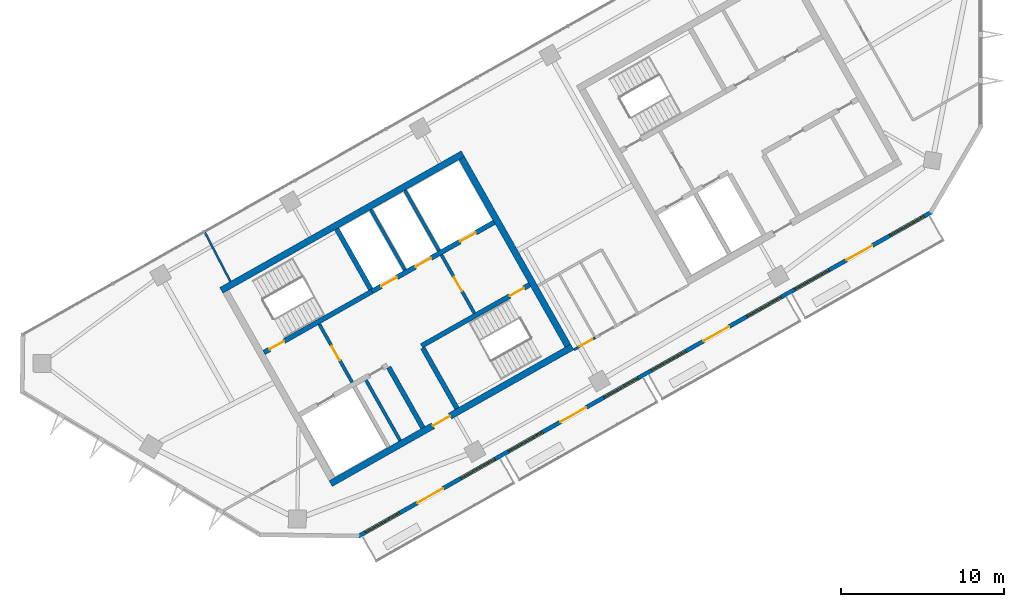
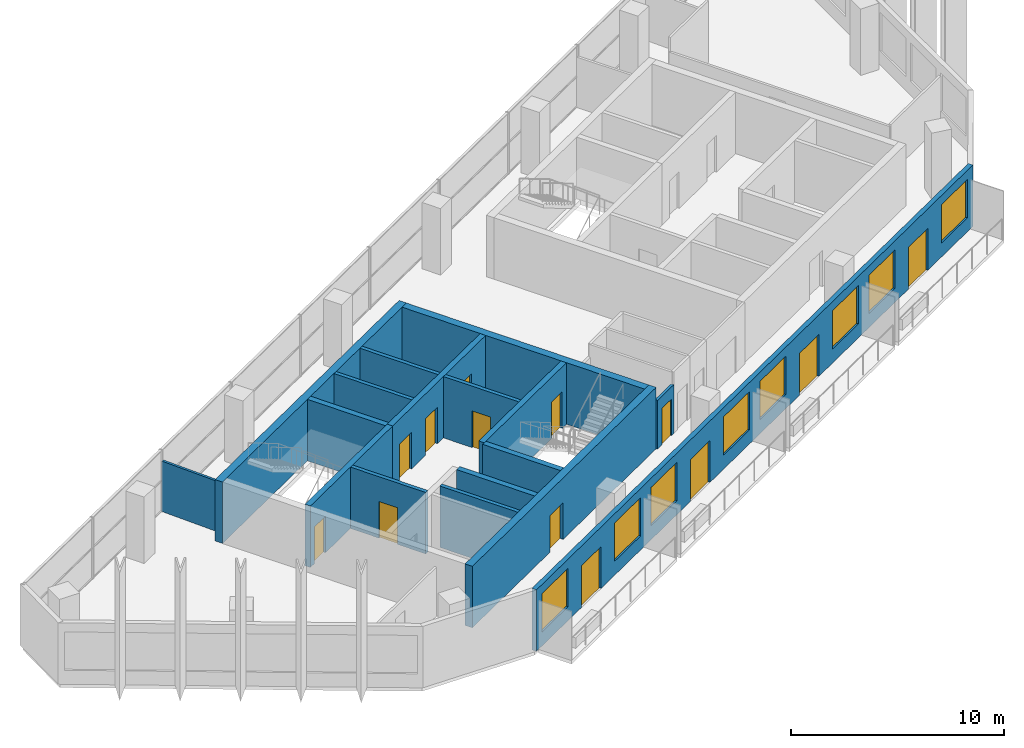
# One storey, part 6 of 10: 17 walls, 13 doors, 8 windows, 21 openings.
"""IFC4 building model written with IfcOpenShell, lengths in metres."""

from ifc_helpers import new_model, si_unit, direction, frame, frame_2d, origin, place, context, subcontext, project, spatial, rectangle, extrude, material, layer, layer_set, type_object, element, fill, save


model = new_model("IFC4")

# Units and contexts
model_context = context("Model", 3, precision=1e-05, world=origin(), true_north=direction((0.0, 1.0)))
body_context = subcontext(model_context, "Body", "Model", "MODEL_VIEW")
ifc_project = project(units=[si_unit("LENGTHUNIT", "METRE"), si_unit("AREAUNIT", "SQUARE_METRE"), si_unit("VOLUMEUNIT", "CUBIC_METRE"), si_unit("PLANEANGLEUNIT", "RADIAN"), si_unit("MASSUNIT", "GRAM", prefix="KILO")], contexts=[model_context])

# Site, building, storey
site_placement = place(None, origin())
site = spatial("IfcSite", under=ifc_project, at=site_placement, CompositionType="ELEMENT")
building_placement = place(site_placement, origin())
building = spatial("IfcBuilding", under=site, at=building_placement, Name="Binnacle Exchange Tower", CompositionType="ELEMENT")
storey_placement = place(building_placement, frame((0.0, 0.0, 324.10009765625)))
storey = spatial("IfcBuildingStorey", under=building, at=storey_placement, Name="L73", CompositionType="ELEMENT", Elevation=324.10009765625)

# Wall, openings, doors
ifc_material_1 = material(Name="Concrete C70/85", Category="concrete")
ifc_layer_1 = layer(ifc_material_1, 0.300048828125)
ifc_layer_set_1 = layer_set([ifc_layer_1], Name="Core wall - front 300")
wall_type_1 = type_object("IfcWallType", Name="Core wall - front 300", PredefinedType="SOLIDWALL", material=ifc_layer_set_1)
wall_1_placement = place(storey_placement, frame((-37.281982421875, 41.4345703125, 0.0), z_axis=(0.0, 0.0, 1.0), x_axis=(0.870361315115, 0.492413628113, 0.0)))
wall_1 = element("IfcWall", 1, at=wall_1_placement, inside=storey, type_object=wall_type_1, Name="Core wall CRWA5", PredefinedType="SOLIDWALL", context=body_context, shape_type="SweptSolid", body=[
    extrude(rectangle(XDim=8.599609375, YDim=0.300048828125, at=frame_2d((4.2998046875, 0.0))), origin(), (0.0, 0.0, 1.0), 3.52001953125),
])
opening_1_placement = place(wall_1_placement, frame((0.650146484375, 0.0, 0.0)))
opening_1 = element("IfcOpeningElement", 2, at=opening_1_placement, cuts=wall_1, Name="Opening LD9", PredefinedType="OPENING", context=body_context, shape_type="SweptSolid", body=[
    extrude(rectangle(XDim=1.10009765625, YDim=2.10009765625, at=frame_2d((0.550048828125, 1.050048828125))), frame((0.0, 0.159912109375, 0.0), z_axis=(0.0, -1.0, 0.0), x_axis=(1.0, 0.0, 0.0)), (0.0, 0.0, 1.0), 0.320068359375),
])
opening_2_placement = place(wall_1_placement, frame((3.050048828125, 0.0, 0.0)))
opening_2 = element("IfcOpeningElement", 3, at=opening_2_placement, cuts=wall_1, Name="Opening LD10", PredefinedType="OPENING", context=body_context, shape_type="SweptSolid", body=[
    extrude(rectangle(XDim=1.10009765625, YDim=2.10009765625, at=frame_2d((0.550048828125, 1.050048828125))), frame((0.0, 0.159912109375, 0.0), z_axis=(0.0, -1.0, 0.0), x_axis=(1.0, 0.0, 0.0)), (0.0, 0.0, 1.0), 0.320068359375),
])
opening_3_placement = place(wall_1_placement, frame((6.199951171875, 0.0, 0.0)))
opening_3 = element("IfcOpeningElement", 4, at=opening_3_placement, cuts=wall_1, Name="Opening LD13", PredefinedType="OPENING", context=body_context, shape_type="SweptSolid", body=[
    extrude(rectangle(XDim=1.10009765625, YDim=2.10009765625, at=frame_2d((0.550048828125, 1.050048828125))), frame((0.0, 0.159912109375, 0.0), z_axis=(0.0, -1.0, 0.0), x_axis=(1.0, 0.0, 0.0)), (0.0, 0.0, 1.0), 0.320068359375),
])
ifc_material_2 = material(Name="Steel door leaf", Category="steel")
door_type_1 = type_object("IfcDoorType", Name="Fire door - lift landing 1100", OperationType="NOTDEFINED", PredefinedType="DOOR", material=ifc_material_2)
door_1_placement = place(opening_1_placement, origin())
door_1 = element("IfcDoor", 5, at=door_1_placement, inside=storey, type_object=door_type_1, Name="Landing door LD9 L73", OperationType="DOUBLE_DOOR_SLIDING", OverallHeight=2.10009765625, OverallWidth=1.10009765625, PredefinedType="DOOR", context=body_context, shape_type="SweptSolid", body=[
    extrude(rectangle(XDim=1.10009765625, YDim=2.10009765625, at=frame_2d((0.550048828125, 1.050048828125))), frame((0.0, 0.02490234375, 0.0), z_axis=(0.0, -1.0, 0.0), x_axis=(1.0, 0.0, 0.0)), (0.0, 0.0, 1.0), 0.050048828125),
])
fill(opening_1, door_1)
door_2_placement = place(opening_2_placement, origin())
door_2 = element("IfcDoor", 6, at=door_2_placement, inside=storey, type_object=door_type_1, Name="Landing door LD10 L73", OperationType="DOUBLE_DOOR_SLIDING", OverallHeight=2.10009765625, OverallWidth=1.10009765625, PredefinedType="DOOR", context=body_context, shape_type="SweptSolid", body=[
    extrude(rectangle(XDim=1.10009765625, YDim=2.10009765625, at=frame_2d((0.550048828125, 1.050048828125))), frame((0.0, 0.02490234375, 0.0), z_axis=(0.0, -1.0, 0.0), x_axis=(1.0, 0.0, 0.0)), (0.0, 0.0, 1.0), 0.050048828125),
])
fill(opening_2, door_2)
door_3_placement = place(opening_3_placement, origin())
door_3 = element("IfcDoor", 7, at=door_3_placement, inside=storey, type_object=door_type_1, Name="Landing door LD13 L73", OperationType="DOUBLE_DOOR_SLIDING", OverallHeight=2.10009765625, OverallWidth=1.10009765625, PredefinedType="DOOR", context=body_context, shape_type="SweptSolid", body=[
    extrude(rectangle(XDim=1.10009765625, YDim=2.10009765625, at=frame_2d((0.550048828125, 1.050048828125))), frame((0.0, 0.02490234375, 0.0), z_axis=(0.0, -1.0, 0.0), x_axis=(1.0, 0.0, 0.0)), (0.0, 0.0, 1.0), 0.050048828125),
])
fill(opening_3, door_3)

# Wall
wall_2_placement = place(storey_placement, frame((-36.260009765625, 36.784912109375, 0.0), z_axis=(0.0, 0.0, 1.0), x_axis=(0.492422543467, -0.870356271124, 0.0)))
element("IfcWall", 8, at=wall_2_placement, inside=storey, type_object=wall_type_1, Name="Core wall CRWA13", PredefinedType="SOLIDWALL", context=body_context, shape_type="SweptSolid", body=[
    extrude(rectangle(XDim=4.25, YDim=0.300048828125, at=frame_2d((2.125, 0.0))), origin(), (0.0, 0.0, 1.0), 3.52001953125),
])

# Wall, opening, door
ifc_layer_2 = layer(ifc_material_1, 0.39990234375)
ifc_layer_set_2 = layer_set([ifc_layer_2], Name="Core wall - outer 400")
wall_type_2 = type_object("IfcWallType", Name="Core wall - outer 400", PredefinedType="SOLIDWALL", material=ifc_layer_set_2)
wall_3_placement = place(storey_placement, frame((-39.81298828125, 29.661865234375, 0.0), z_axis=(0.0, 0.0, 1.0), x_axis=(0.870350116061, 0.492433422375, 0.0)))
wall_3 = element("IfcWall", 9, at=wall_3_placement, inside=storey, type_object=wall_type_2, Name="Core wall CRWA1", PredefinedType="SOLIDWALL", context=body_context, shape_type="SweptSolid", body=[
    extrude(rectangle(XDim=17.0, YDim=0.39990234375, at=frame_2d((8.5, 0.0))), origin(), (0.0, 0.0, 1.0), 3.52001953125),
])
opening_4_placement = place(wall_3_placement, frame((7.199951171875, 0.0, 0.0)))
opening_4 = element("IfcOpeningElement", 10, at=opening_4_placement, cuts=wall_3, Name="Opening DA7", PredefinedType="OPENING", context=body_context, shape_type="SweptSolid", body=[
    extrude(rectangle(XDim=1.199951171875, YDim=2.10009765625, at=frame_2d((0.60009765625, 1.050048828125))), frame((0.0, 0.2099609375, 0.0), z_axis=(0.0, -1.0, 0.0), x_axis=(1.0, 0.0, 0.0)), (0.0, 0.0, 1.0), 0.419921875),
])
door_type_2 = type_object("IfcDoorType", Name="Fire door 1200", OperationType="NOTDEFINED", PredefinedType="DOOR", material=ifc_material_2)
door_4_placement = place(opening_4_placement, frame((1.199951171875, 0.0, 0.0), z_axis=(0.0, 0.0, 1.0), x_axis=(-1.0, 0.0, 0.0)))
door_4 = element("IfcDoor", 11, at=door_4_placement, inside=storey, type_object=door_type_2, Name="Lift lobby entrance door core A", OperationType="SINGLE_SWING_RIGHT", OverallHeight=2.10009765625, OverallWidth=1.199951171875, PredefinedType="DOOR", context=body_context, shape_type="SweptSolid", body=[
    extrude(rectangle(XDim=1.199951171875, YDim=2.10009765625, at=frame_2d((0.60009765625, 1.050048828125))), frame((0.0, 0.02490234375, 0.0), z_axis=(0.0, -1.0, 0.0), x_axis=(1.0, 0.0, 0.0)), (0.0, 0.0, 1.0), 0.050048828125),
])
fill(opening_4, door_4)

# Walls
wall_4_placement = place(storey_placement, frame((-46.510009765625, 41.498779296875, 0.0), z_axis=(0.0, 0.0, 1.0), x_axis=(0.870356271124, 0.492422543467, 0.0)))
element("IfcWall", 12, at=wall_4_placement, inside=storey, type_object=wall_type_2, Name="Core wall CRWA6", PredefinedType="SOLIDWALL", context=body_context, shape_type="SweptSolid", body=[
    extrude(rectangle(XDim=16.999755859375, YDim=0.39990234375, at=frame_2d((8.5, 0.0))), origin(), (0.0, 0.0, 1.0), 3.52001953125),
])
wall_5_placement = place(storey_placement, frame((-31.78955078125, 49.597412109375, 0.0), z_axis=(0.0, 0.0, 1.0), x_axis=(0.492421663121, -0.870356769198, 0.0)))
element("IfcWall", 13, at=wall_5_placement, inside=storey, type_object=wall_type_2, Name="Core wall CRWA22", PredefinedType="SOLIDWALL", context=body_context, shape_type="SweptSolid", body=[
    extrude(rectangle(XDim=13.199951171875, YDim=0.39990234375, at=frame_2d((6.60009765625, 0.0))), origin(), (0.0, 0.0, 1.0), 3.52001953125),
])

# Wall, opening, door
ifc_layer_3 = layer(ifc_material_1, 0.300048828125)
ifc_layer_set_3 = layer_set([ifc_layer_3], Name="Core wall - stair 300")
wall_type_3 = type_object("IfcWallType", Name="Core wall - stair 300", PredefinedType="SOLIDWALL", material=ifc_layer_set_3)
wall_6_placement = place(storey_placement, frame((-34.2451171875, 38.097412109375, 0.0), z_axis=(0.0, 0.0, 1.0), x_axis=(0.870356351998, 0.492422400523, 0.0)))
wall_6 = element("IfcWall", 14, at=wall_6_placement, inside=storey, type_object=wall_type_3, Name="Core wall CRWA3", PredefinedType="SOLIDWALL", context=body_context, shape_type="SweptSolid", body=[
    extrude(rectangle(XDim=7.60009765625, YDim=0.300048828125, at=frame_2d((3.800048828125, 0.0))), origin(), (0.0, 0.0, 1.0), 3.52001953125),
])
opening_5_placement = place(wall_6_placement, frame((6.199951171875, 0.0, 0.0)))
opening_5 = element("IfcOpeningElement", 15, at=opening_5_placement, cuts=wall_6, Name="Opening DA2", PredefinedType="OPENING", context=body_context, shape_type="SweptSolid", body=[
    extrude(rectangle(XDim=1.0, YDim=2.10009765625, at=frame_2d((0.5, 1.050048828125))), frame((0.0, 0.159912109375, 0.0), z_axis=(0.0, -1.0, 0.0), x_axis=(1.0, 0.0, 0.0)), (0.0, 0.0, 1.0), 0.320068359375),
])
door_type_3 = type_object("IfcDoorType", Name="Fire door 1000", OperationType="NOTDEFINED", PredefinedType="DOOR", material=ifc_material_2)
door_5_placement = place(opening_5_placement, frame((1.0, 0.0, 0.0), z_axis=(0.0, 0.0, 1.0), x_axis=(-1.0, 0.0, 0.0)))
door_5 = element("IfcDoor", 16, at=door_5_placement, inside=storey, type_object=door_type_3, Name="Stair door ST-A2", OperationType="SINGLE_SWING_LEFT", OverallHeight=2.10009765625, OverallWidth=1.0, PredefinedType="DOOR", context=body_context, shape_type="SweptSolid", body=[
    extrude(rectangle(XDim=1.0, YDim=2.10009765625, at=frame_2d((0.5, 1.050048828125))), frame((0.0, 0.02490234375, 0.0), z_axis=(0.0, -1.0, 0.0), x_axis=(1.0, 0.0, 0.0)), (0.0, 0.0, 1.0), 0.050048828125),
])
fill(opening_5, door_5)

wall_7_placement = place(storey_placement, frame((-43.896728515625, 37.692138671875, 0.0), z_axis=(0.0, 0.0, 1.0), x_axis=(0.870356351998, 0.492422400523, 0.0)))
wall_7 = element("IfcWall", 17, at=wall_7_placement, inside=storey, type_object=wall_type_3, Name="Core wall CRWA4", PredefinedType="SOLIDWALL", context=body_context, shape_type="SweptSolid", body=[
    extrude(rectangle(XDim=7.60009765625, YDim=0.300048828125, at=frame_2d((3.800048828125, 0.0))), origin(), (0.0, 0.0, 1.0), 3.52001953125),
])
opening_6_placement = place(wall_7_placement, frame((0.39990234375, 0.0, 0.0)))
opening_6 = element("IfcOpeningElement", 18, at=opening_6_placement, cuts=wall_7, Name="Opening DA1", PredefinedType="OPENING", context=body_context, shape_type="SweptSolid", body=[
    extrude(rectangle(XDim=1.0, YDim=2.10009765625, at=frame_2d((0.5, 1.050048828125))), frame((0.0, 0.159912109375, 0.0), z_axis=(0.0, -1.0, 0.0), x_axis=(1.0, 0.0, 0.0)), (0.0, 0.0, 1.0), 0.320068359375),
])
door_6_placement = place(opening_6_placement, origin())
door_6 = element("IfcDoor", 19, at=door_6_placement, inside=storey, type_object=door_type_3, Name="Stair door ST-A1", OperationType="SINGLE_SWING_LEFT", OverallHeight=2.10009765625, OverallWidth=1.0, PredefinedType="DOOR", context=body_context, shape_type="SweptSolid", body=[
    extrude(rectangle(XDim=1.0, YDim=2.10009765625, at=frame_2d((0.5, 1.050048828125))), frame((0.0, 0.02490234375, 0.0), z_axis=(0.0, -1.0, 0.0), x_axis=(1.0, 0.0, 0.0)), (0.0, 0.0, 1.0), 0.050048828125),
])
fill(opening_6, door_6)

# Walls
for number, where, z_axis, x_axis, name in (
    (20, (-39.44873046875, 45.263916015625, 0.0), (0.0, 0.0, 1.0), (0.492422543467, -0.870356271124, 0.0), "Core wall CRWA14"),
    (21, (-34.171142578125, 37.966796875, 0.0), (0.0, 0.0, 1.0), (0.492422543467, -0.870356271124, 0.0), "Core wall CRWA16"),
):
    element("IfcWall", number, at=place(storey_placement, frame(where, z_axis=z_axis, x_axis=x_axis)), inside=storey, type_object=wall_type_3, Name=name, PredefinedType="SOLIDWALL", context=body_context, shape_type="SweptSolid", body=[
        extrude(rectangle(XDim=4.25, YDim=0.300048828125, at=frame_2d((2.125, 0.0))), origin(), (0.0, 0.0, 1.0), 3.52001953125),
    ])

# Wall, openings, doors, windows
ifc_material_3 = material(Name="Bronze aluminium cladding", Category="aluminium")
ifc_layer_4 = layer(ifc_material_3, 0.25)
ifc_layer_set_4 = layer_set([ifc_layer_4], Name="External wall - window wall 250")
wall_type_4 = type_object("IfcWallType", Name="External wall - window wall 250", PredefinedType="STANDARD", material=ifc_layer_set_4)
wall_8_placement = place(storey_placement, frame((-3.016845703125, 46.293212890625, 0.0), z_axis=(0.0, 0.0, 1.0), x_axis=(-0.870355474887, -0.492423950812, 0.0)))
wall_8 = element("IfcWall", 22, at=wall_8_placement, inside=storey, type_object=wall_type_4, Name="External wall EW-H07 L73", PredefinedType="STANDARD", context=body_context, shape_type="SweptSolid", body=[
    extrude(rectangle(XDim=40.34033203125, YDim=0.25, at=frame_2d((20.170166015625, 0.0))), origin(), (0.0, 0.0, 1.0), 3.52001953125),
])
opening_7_placement = place(wall_8_placement, frame((37.428466796875, 0.0, 0.800048828125)))
opening_7 = element("IfcOpeningElement", 23, at=opening_7_placement, cuts=wall_8, Name="Opening WR2", PredefinedType="OPENING", context=body_context, shape_type="SweptSolid", body=[
    extrude(rectangle(XDim=2.39990234375, YDim=2.199951171875, at=frame_2d((1.199951171875, 1.10009765625))), frame((0.0, 0.135009765625, 0.0), z_axis=(0.0, -1.0, 0.0), x_axis=(1.0, 0.0, 0.0)), (0.0, 0.0, 1.0), 0.27001953125),
])
opening_8_placement = place(wall_8_placement, frame((34.372314453125, 0.0, 0.0)))
opening_8 = element("IfcOpeningElement", 24, at=opening_8_placement, cuts=wall_8, Name="Opening D-FS22-01", PredefinedType="OPENING", context=body_context, shape_type="SweptSolid", body=[
    extrude(rectangle(XDim=1.800048828125, YDim=2.39990234375, at=frame_2d((0.89990234375, 1.199951171875))), frame((0.0, 0.135009765625, 0.0), z_axis=(0.0, -1.0, 0.0), x_axis=(1.0, 0.0, 0.0)), (0.0, 0.0, 1.0), 0.27001953125),
])
opening_9_placement = place(wall_8_placement, frame((30.71630859375, 0.0, 0.800048828125)))
opening_9 = element("IfcOpeningElement", 25, at=opening_9_placement, cuts=wall_8, Name="Opening WR2", PredefinedType="OPENING", context=body_context, shape_type="SweptSolid", body=[
    extrude(rectangle(XDim=2.39990234375, YDim=2.199951171875, at=frame_2d((1.199951171875, 1.10009765625))), frame((0.0, 0.135009765625, 0.0), z_axis=(0.0, -1.0, 0.0), x_axis=(1.0, 0.0, 0.0)), (0.0, 0.0, 1.0), 0.27001953125),
])
opening_10_placement = place(wall_8_placement, frame((27.3603515625, 0.0, 0.800048828125)))
opening_10 = element("IfcOpeningElement", 26, at=opening_10_placement, cuts=wall_8, Name="Opening WR2", PredefinedType="OPENING", context=body_context, shape_type="SweptSolid", body=[
    extrude(rectangle(XDim=2.39990234375, YDim=2.199951171875, at=frame_2d((1.199951171875, 1.10009765625))), frame((0.0, 0.135009765625, 0.0), z_axis=(0.0, -1.0, 0.0), x_axis=(1.0, 0.0, 0.0)), (0.0, 0.0, 1.0), 0.27001953125),
])
opening_11_placement = place(wall_8_placement, frame((24.30419921875, 0.0, 0.0)))
opening_11 = element("IfcOpeningElement", 27, at=opening_11_placement, cuts=wall_8, Name="Opening D-FS22-02", PredefinedType="OPENING", context=body_context, shape_type="SweptSolid", body=[
    extrude(rectangle(XDim=1.800048828125, YDim=2.39990234375, at=frame_2d((0.89990234375, 1.199951171875))), frame((0.0, 0.135009765625, 0.0), z_axis=(0.0, -1.0, 0.0), x_axis=(1.0, 0.0, 0.0)), (0.0, 0.0, 1.0), 0.27001953125),
])
opening_12_placement = place(wall_8_placement, frame((20.648193359375, 0.0, 0.800048828125)))
opening_12 = element("IfcOpeningElement", 28, at=opening_12_placement, cuts=wall_8, Name="Opening WR2", PredefinedType="OPENING", context=body_context, shape_type="SweptSolid", body=[
    extrude(rectangle(XDim=2.39990234375, YDim=2.199951171875, at=frame_2d((1.199951171875, 1.10009765625))), frame((0.0, 0.135009765625, 0.0), z_axis=(0.0, -1.0, 0.0), x_axis=(1.0, 0.0, 0.0)), (0.0, 0.0, 1.0), 0.27001953125),
])
opening_13_placement = place(wall_8_placement, frame((17.2919921875, 0.0, 0.800048828125)))
opening_13 = element("IfcOpeningElement", 29, at=opening_13_placement, cuts=wall_8, Name="Opening WR2", PredefinedType="OPENING", context=body_context, shape_type="SweptSolid", body=[
    extrude(rectangle(XDim=2.39990234375, YDim=2.199951171875, at=frame_2d((1.199951171875, 1.10009765625))), frame((0.0, 0.135009765625, 0.0), z_axis=(0.0, -1.0, 0.0), x_axis=(1.0, 0.0, 0.0)), (0.0, 0.0, 1.0), 0.27001953125),
])
opening_14_placement = place(wall_8_placement, frame((14.236083984375, 0.0, 0.0)))
opening_14 = element("IfcOpeningElement", 30, at=opening_14_placement, cuts=wall_8, Name="Opening D-FS22-03", PredefinedType="OPENING", context=body_context, shape_type="SweptSolid", body=[
    extrude(rectangle(XDim=1.800048828125, YDim=2.39990234375, at=frame_2d((0.89990234375, 1.199951171875))), frame((0.0, 0.135009765625, 0.0), z_axis=(0.0, -1.0, 0.0), x_axis=(1.0, 0.0, 0.0)), (0.0, 0.0, 1.0), 0.27001953125),
])
opening_15_placement = place(wall_8_placement, frame((10.580078125, 0.0, 0.800048828125)))
opening_15 = element("IfcOpeningElement", 31, at=opening_15_placement, cuts=wall_8, Name="Opening WR2", PredefinedType="OPENING", context=body_context, shape_type="SweptSolid", body=[
    extrude(rectangle(XDim=2.39990234375, YDim=2.199951171875, at=frame_2d((1.199951171875, 1.10009765625))), frame((0.0, 0.135009765625, 0.0), z_axis=(0.0, -1.0, 0.0), x_axis=(1.0, 0.0, 0.0)), (0.0, 0.0, 1.0), 0.27001953125),
])
opening_16_placement = place(wall_8_placement, frame((7.223876953125, 0.0, 0.800048828125)))
opening_16 = element("IfcOpeningElement", 32, at=opening_16_placement, cuts=wall_8, Name="Opening WR2", PredefinedType="OPENING", context=body_context, shape_type="SweptSolid", body=[
    extrude(rectangle(XDim=2.39990234375, YDim=2.199951171875, at=frame_2d((1.199951171875, 1.10009765625))), frame((0.0, 0.135009765625, 0.0), z_axis=(0.0, -1.0, 0.0), x_axis=(1.0, 0.0, 0.0)), (0.0, 0.0, 1.0), 0.27001953125),
])
opening_17_placement = place(wall_8_placement, frame((4.16796875, 0.0, 0.0)))
opening_17 = element("IfcOpeningElement", 33, at=opening_17_placement, cuts=wall_8, Name="Opening D-FS22-04", PredefinedType="OPENING", context=body_context, shape_type="SweptSolid", body=[
    extrude(rectangle(XDim=1.800048828125, YDim=2.39990234375, at=frame_2d((0.89990234375, 1.199951171875))), frame((0.0, 0.135009765625, 0.0), z_axis=(0.0, -1.0, 0.0), x_axis=(1.0, 0.0, 0.0)), (0.0, 0.0, 1.0), 0.27001953125),
])
opening_18_placement = place(wall_8_placement, frame((0.51171875, 0.0, 0.800048828125)))
opening_18 = element("IfcOpeningElement", 34, at=opening_18_placement, cuts=wall_8, Name="Opening WR2", PredefinedType="OPENING", context=body_context, shape_type="SweptSolid", body=[
    extrude(rectangle(XDim=2.39990234375, YDim=2.199951171875, at=frame_2d((1.199951171875, 1.10009765625))), frame((0.0, 0.135009765625, 0.0), z_axis=(0.0, -1.0, 0.0), x_axis=(1.0, 0.0, 0.0)), (0.0, 0.0, 1.0), 0.27001953125),
])
ifc_material_4 = material(Name="Bronze anodised aluminium frame", Category="aluminium")
door_type_4 = type_object("IfcDoorType", Name="DB DOOR 1800x2400", OperationType="DOUBLE_DOOR_SINGLE_SWING", PredefinedType="DOOR", material=ifc_material_4)
door_7_placement = place(opening_8_placement, origin())
door_7 = element("IfcDoor", 35, at=door_7_placement, inside=storey, type_object=door_type_4, Name="Door D-FS22-01 L73", OperationType="DOUBLE_DOOR_SINGLE_SWING", OverallHeight=2.39990234375, OverallWidth=1.800048828125, PredefinedType="DOOR", context=body_context, shape_type="SweptSolid", body=[
    extrude(rectangle(XDim=1.800048828125, YDim=2.39990234375, at=frame_2d((0.89990234375, 1.199951171875))), frame((0.0, 0.02490234375, 0.0), z_axis=(0.0, -1.0, 0.0), x_axis=(1.0, 0.0, 0.0)), (0.0, 0.0, 1.0), 0.050048828125),
])
fill(opening_8, door_7)
door_8_placement = place(opening_11_placement, origin())
door_8 = element("IfcDoor", 36, at=door_8_placement, inside=storey, type_object=door_type_4, Name="Door D-FS22-02 L73", OperationType="DOUBLE_DOOR_SINGLE_SWING", OverallHeight=2.39990234375, OverallWidth=1.800048828125, PredefinedType="DOOR", context=body_context, shape_type="SweptSolid", body=[
    extrude(rectangle(XDim=1.800048828125, YDim=2.39990234375, at=frame_2d((0.89990234375, 1.199951171875))), frame((0.0, 0.02490234375, 0.0), z_axis=(0.0, -1.0, 0.0), x_axis=(1.0, 0.0, 0.0)), (0.0, 0.0, 1.0), 0.050048828125),
])
fill(opening_11, door_8)
door_9_placement = place(opening_14_placement, origin())
door_9 = element("IfcDoor", 37, at=door_9_placement, inside=storey, type_object=door_type_4, Name="Door D-FS22-03 L73", OperationType="DOUBLE_DOOR_SINGLE_SWING", OverallHeight=2.39990234375, OverallWidth=1.800048828125, PredefinedType="DOOR", context=body_context, shape_type="SweptSolid", body=[
    extrude(rectangle(XDim=1.800048828125, YDim=2.39990234375, at=frame_2d((0.89990234375, 1.199951171875))), frame((0.0, 0.02490234375, 0.0), z_axis=(0.0, -1.0, 0.0), x_axis=(1.0, 0.0, 0.0)), (0.0, 0.0, 1.0), 0.050048828125),
])
fill(opening_14, door_9)
door_10_placement = place(opening_17_placement, origin())
door_10 = element("IfcDoor", 38, at=door_10_placement, inside=storey, type_object=door_type_4, Name="Door D-FS22-04 L73", OperationType="DOUBLE_DOOR_SINGLE_SWING", OverallHeight=2.39990234375, OverallWidth=1.800048828125, PredefinedType="DOOR", context=body_context, shape_type="SweptSolid", body=[
    extrude(rectangle(XDim=1.800048828125, YDim=2.39990234375, at=frame_2d((0.89990234375, 1.199951171875))), frame((0.0, 0.02490234375, 0.0), z_axis=(0.0, -1.0, 0.0), x_axis=(1.0, 0.0, 0.0)), (0.0, 0.0, 1.0), 0.050048828125),
])
fill(opening_17, door_10)
window_type = type_object("IfcWindowType", Name="WR2 WINDOW 2400x2200", PartitioningType="SINGLE_PANEL", PredefinedType="WINDOW", material=ifc_material_4)
window_1_placement = place(opening_7_placement, origin())
window_1 = element("IfcWindow", 39, at=window_1_placement, inside=storey, type_object=window_type, Name="Window WR2 L73", OverallHeight=2.199951171875, OverallWidth=2.39990234375, PartitioningType="SINGLE_PANEL", PredefinedType="WINDOW", context=body_context, shape_type="SweptSolid", body=[
    extrude(rectangle(XDim=2.39990234375, YDim=2.199951171875, at=frame_2d((1.199951171875, 1.10009765625))), frame((0.0, 0.030029296875, 0.0), z_axis=(0.0, -1.0, 0.0), x_axis=(1.0, 0.0, 0.0)), (0.0, 0.0, 1.0), 0.06005859375),
])
fill(opening_7, window_1)
window_2_placement = place(opening_9_placement, origin())
window_2 = element("IfcWindow", 40, at=window_2_placement, inside=storey, type_object=window_type, Name="Window WR2 L73", OverallHeight=2.199951171875, OverallWidth=2.39990234375, PartitioningType="SINGLE_PANEL", PredefinedType="WINDOW", context=body_context, shape_type="SweptSolid", body=[
    extrude(rectangle(XDim=2.39990234375, YDim=2.199951171875, at=frame_2d((1.199951171875, 1.10009765625))), frame((0.0, 0.030029296875, 0.0), z_axis=(0.0, -1.0, 0.0), x_axis=(1.0, 0.0, 0.0)), (0.0, 0.0, 1.0), 0.06005859375),
])
fill(opening_9, window_2)
window_3_placement = place(opening_10_placement, origin())
window_3 = element("IfcWindow", 41, at=window_3_placement, inside=storey, type_object=window_type, Name="Window WR2 L73", OverallHeight=2.199951171875, OverallWidth=2.39990234375, PartitioningType="SINGLE_PANEL", PredefinedType="WINDOW", context=body_context, shape_type="SweptSolid", body=[
    extrude(rectangle(XDim=2.39990234375, YDim=2.199951171875, at=frame_2d((1.199951171875, 1.10009765625))), frame((0.0, 0.030029296875, 0.0), z_axis=(0.0, -1.0, 0.0), x_axis=(1.0, 0.0, 0.0)), (0.0, 0.0, 1.0), 0.06005859375),
])
fill(opening_10, window_3)
window_4_placement = place(opening_12_placement, origin())
window_4 = element("IfcWindow", 42, at=window_4_placement, inside=storey, type_object=window_type, Name="Window WR2 L73", OverallHeight=2.199951171875, OverallWidth=2.39990234375, PartitioningType="SINGLE_PANEL", PredefinedType="WINDOW", context=body_context, shape_type="SweptSolid", body=[
    extrude(rectangle(XDim=2.39990234375, YDim=2.199951171875, at=frame_2d((1.199951171875, 1.10009765625))), frame((0.0, 0.030029296875, 0.0), z_axis=(0.0, -1.0, 0.0), x_axis=(1.0, 0.0, 0.0)), (0.0, 0.0, 1.0), 0.06005859375),
])
fill(opening_12, window_4)
window_5_placement = place(opening_13_placement, origin())
window_5 = element("IfcWindow", 43, at=window_5_placement, inside=storey, type_object=window_type, Name="Window WR2 L73", OverallHeight=2.199951171875, OverallWidth=2.39990234375, PartitioningType="SINGLE_PANEL", PredefinedType="WINDOW", context=body_context, shape_type="SweptSolid", body=[
    extrude(rectangle(XDim=2.39990234375, YDim=2.199951171875, at=frame_2d((1.199951171875, 1.10009765625))), frame((0.0, 0.030029296875, 0.0), z_axis=(0.0, -1.0, 0.0), x_axis=(1.0, 0.0, 0.0)), (0.0, 0.0, 1.0), 0.06005859375),
])
fill(opening_13, window_5)
window_6_placement = place(opening_15_placement, origin())
window_6 = element("IfcWindow", 44, at=window_6_placement, inside=storey, type_object=window_type, Name="Window WR2 L73", OverallHeight=2.199951171875, OverallWidth=2.39990234375, PartitioningType="SINGLE_PANEL", PredefinedType="WINDOW", context=body_context, shape_type="SweptSolid", body=[
    extrude(rectangle(XDim=2.39990234375, YDim=2.199951171875, at=frame_2d((1.199951171875, 1.10009765625))), frame((0.0, 0.030029296875, 0.0), z_axis=(0.0, -1.0, 0.0), x_axis=(1.0, 0.0, 0.0)), (0.0, 0.0, 1.0), 0.06005859375),
])
fill(opening_15, window_6)
window_7_placement = place(opening_16_placement, origin())
window_7 = element("IfcWindow", 45, at=window_7_placement, inside=storey, type_object=window_type, Name="Window WR2 L73", OverallHeight=2.199951171875, OverallWidth=2.39990234375, PartitioningType="SINGLE_PANEL", PredefinedType="WINDOW", context=body_context, shape_type="SweptSolid", body=[
    extrude(rectangle(XDim=2.39990234375, YDim=2.199951171875, at=frame_2d((1.199951171875, 1.10009765625))), frame((0.0, 0.030029296875, 0.0), z_axis=(0.0, -1.0, 0.0), x_axis=(1.0, 0.0, 0.0)), (0.0, 0.0, 1.0), 0.06005859375),
])
fill(opening_16, window_7)
window_8_placement = place(opening_18_placement, origin())
window_8 = element("IfcWindow", 46, at=window_8_placement, inside=storey, type_object=window_type, Name="Window WR2 L73", OverallHeight=2.199951171875, OverallWidth=2.39990234375, PartitioningType="SINGLE_PANEL", PredefinedType="WINDOW", context=body_context, shape_type="SweptSolid", body=[
    extrude(rectangle(XDim=2.39990234375, YDim=2.199951171875, at=frame_2d((1.199951171875, 1.10009765625))), frame((0.0, 0.030029296875, 0.0), z_axis=(0.0, -1.0, 0.0), x_axis=(1.0, 0.0, 0.0)), (0.0, 0.0, 1.0), 0.06005859375),
])
fill(opening_18, window_8)

# Wall, opening, door
ifc_material_5 = material(Name="Masonry block wall", Category="masonry")
ifc_layer_5 = layer(ifc_material_5, 0.199951171875)
ifc_layer_set_5 = layer_set([ifc_layer_5], Name="Fire wall - vestibule 200")
wall_type_5 = type_object("IfcWallType", Name="Fire wall - vestibule 200", PredefinedType="PARTITIONING", material=ifc_layer_set_5)
wall_9_placement = place(storey_placement, frame((-40.515625, 39.4326171875, 0.0), z_axis=(0.0, 0.0, 1.0), x_axis=(0.492453559952, -0.87033872216, 0.0)))
wall_9 = element("IfcWall", 47, at=wall_9_placement, inside=storey, type_object=wall_type_5, Name="Core wall CRWA10", PredefinedType="PARTITIONING", context=body_context, shape_type="SweptSolid", body=[
    extrude(rectangle(XDim=4.099853515625, YDim=0.199951171875, at=frame_2d((2.0498046875, 0.0))), origin(), (0.0, 0.0, 1.0), 3.52001953125),
])
opening_19_placement = place(wall_9_placement, frame((1.550048828125, 0.0, 0.0)))
opening_19 = element("IfcOpeningElement", 48, at=opening_19_placement, cuts=wall_9, Name="Opening DA3", PredefinedType="OPENING", context=body_context, shape_type="SweptSolid", body=[
    extrude(rectangle(XDim=1.0, YDim=2.10009765625, at=frame_2d((0.5, 1.050048828125))), frame((0.0, 0.10986328125, 0.0), z_axis=(0.0, -1.0, 0.0), x_axis=(1.0, 0.0, 0.0)), (0.0, 0.0, 1.0), 0.219970703125),
])
door_11_placement = place(opening_19_placement, frame((1.0, 0.0, 0.0), z_axis=(0.0, 0.0, 1.0), x_axis=(-1.0, 0.0, 0.0)))
door_11 = element("IfcDoor", 49, at=door_11_placement, inside=storey, type_object=door_type_3, Name="Vestibule door VEST-W", OperationType="SINGLE_SWING_LEFT", OverallHeight=2.10009765625, OverallWidth=1.0, PredefinedType="DOOR", context=body_context, shape_type="SweptSolid", body=[
    extrude(rectangle(XDim=1.0, YDim=2.10009765625, at=frame_2d((0.5, 1.050048828125))), frame((0.0, 0.02490234375, 0.0), z_axis=(0.0, -1.0, 0.0), x_axis=(1.0, 0.0, 0.0)), (0.0, 0.0, 1.0), 0.050048828125),
])
fill(opening_19, door_11)

wall_10_placement = place(storey_placement, frame((-33.030517578125, 43.66748046875, 0.0), z_axis=(0.0, 0.0, 1.0), x_axis=(0.492408451753, -0.87036424366, 0.0)))
wall_10 = element("IfcWall", 50, at=wall_10_placement, inside=storey, type_object=wall_type_5, Name="Core wall CRWA19", PredefinedType="PARTITIONING", context=body_context, shape_type="SweptSolid", body=[
    extrude(rectangle(XDim=4.099853515625, YDim=0.199951171875, at=frame_2d((2.0498046875, 0.0))), origin(), (0.0, 0.0, 1.0), 3.52001953125),
])
opening_20_placement = place(wall_10_placement, frame((1.550048828125, 0.0, 0.0)))
opening_20 = element("IfcOpeningElement", 51, at=opening_20_placement, cuts=wall_10, Name="Opening DA4", PredefinedType="OPENING", context=body_context, shape_type="SweptSolid", body=[
    extrude(rectangle(XDim=1.0, YDim=2.10009765625, at=frame_2d((0.5, 1.050048828125))), frame((0.0, 0.10986328125, 0.0), z_axis=(0.0, -1.0, 0.0), x_axis=(1.0, 0.0, 0.0)), (0.0, 0.0, 1.0), 0.219970703125),
])
door_12_placement = place(opening_20_placement, origin())
door_12 = element("IfcDoor", 52, at=door_12_placement, inside=storey, type_object=door_type_3, Name="Vestibule door VEST-E", OperationType="SINGLE_SWING_RIGHT", OverallHeight=2.10009765625, OverallWidth=1.0, PredefinedType="DOOR", context=body_context, shape_type="SweptSolid", body=[
    extrude(rectangle(XDim=1.0, YDim=2.10009765625, at=frame_2d((0.5, 1.050048828125))), frame((0.0, 0.02490234375, 0.0), z_axis=(0.0, -1.0, 0.0), x_axis=(1.0, 0.0, 0.0)), (0.0, 0.0, 1.0), 0.050048828125),
])
fill(opening_20, door_12)

ifc_material_6 = material(Name="Gypsum partition fire rated")
ifc_layer_6 = layer(ifc_material_6, 0.14990234375)
ifc_layer_set_6 = layer_set([ifc_layer_6], Name="Fire-rated partition 150")
wall_type_6 = type_object("IfcWallType", Name="Fire-rated partition 150", PredefinedType="PARTITIONING", material=ifc_layer_set_6)
wall_11_placement = place(storey_placement, frame((-24.9189453125, 37.85888671875, 0.0), z_axis=(0.0, 0.0, 1.0), x_axis=(0.870308175411, 0.492507542899, 0.0)))
wall_11 = element("IfcWall", 53, at=wall_11_placement, inside=storey, type_object=wall_type_6, Name="Partition W06", PredefinedType="PARTITIONING", context=body_context, shape_type="SweptSolid", body=[
    extrude(rectangle(XDim=1.50048828125, YDim=0.14990234375, at=frame_2d((0.750244140625, 0.0))), origin(), (0.0, 0.0, 1.0), 2.7919921875),
])
opening_21_placement = place(wall_11_placement, frame((0.39990234375, 0.0, 0.0)))
opening_21 = element("IfcOpeningElement", 54, at=opening_21_placement, cuts=wall_11, Name="Opening DL71-02", PredefinedType="OPENING", context=body_context, shape_type="SweptSolid", body=[
    extrude(rectangle(XDim=0.89990234375, YDim=2.10009765625, at=frame_2d((0.449951171875, 1.050048828125))), frame((0.0, 0.0849609375, 0.0), z_axis=(0.0, -1.0, 0.0), x_axis=(1.0, 0.0, 0.0)), (0.0, 0.0, 1.0), 0.169921875),
])
door_type_5 = type_object("IfcDoorType", Name="Fire door 900", OperationType="NOTDEFINED", PredefinedType="DOOR", material=ifc_material_2)
door_13_placement = place(opening_21_placement, origin())
door_13 = element("IfcDoor", 55, at=door_13_placement, inside=storey, type_object=door_type_5, Name="Door DL71-02", OperationType="SINGLE_SWING_RIGHT", OverallHeight=2.10009765625, OverallWidth=0.89990234375, PredefinedType="DOOR", context=body_context, shape_type="SweptSolid", body=[
    extrude(rectangle(XDim=0.89990234375, YDim=2.10009765625, at=frame_2d((0.449951171875, 1.050048828125))), frame((0.0, 0.02490234375, 0.0), z_axis=(0.0, -1.0, 0.0), x_axis=(1.0, 0.0, 0.0)), (0.0, 0.0, 1.0), 0.050048828125),
])
fill(opening_21, door_13)

# Walls
ifc_material_7 = material(Name="Gypsum partition")
ifc_layer_7 = layer(ifc_material_7, 0.125)
ifc_layer_set_7 = layer_set([ifc_layer_7], Name="Partition 125")
wall_type_7 = type_object("IfcWallType", Name="Partition 125", PredefinedType="PARTITIONING", material=ifc_layer_set_7)
wall_12_placement = place(storey_placement, frame((-47.51708984375, 45.047119140625, 0.0), z_axis=(0.0, 0.0, 1.0), x_axis=(0.460973607079, -0.887413845721, 0.0)))
element("IfcWall", 56, at=wall_12_placement, inside=storey, type_object=wall_type_7, Name="Partition W01", PredefinedType="PARTITIONING", context=body_context, shape_type="SweptSolid", body=[
    extrude(rectangle(XDim=3.386474609375, YDim=0.125, at=frame_2d((1.693359375, 0.0))), origin(), (0.0, 0.0, 1.0), 2.887939453125),
])
ifc_layer_8 = layer(ifc_material_5, 0.199951171875)
ifc_layer_set_8 = layer_set([ifc_layer_8], Name="Riser wall 200")
wall_type_8 = type_object("IfcWallType", Name="Riser wall 200", PredefinedType="SOLIDWALL", material=ifc_layer_set_8)
wall_13_placement = place(storey_placement, frame((-37.652587890625, 35.9970703125, 0.0), z_axis=(0.0, 0.0, 1.0), x_axis=(0.492422543467, -0.870356271124, 0.0)))
element("IfcWall", 57, at=wall_13_placement, inside=storey, type_object=wall_type_8, Name="Core wall CRWA11", PredefinedType="SOLIDWALL", context=body_context, shape_type="SweptSolid", body=[
    extrude(rectangle(XDim=4.25, YDim=0.199951171875, at=frame_2d((2.125, 0.0))), origin(), (0.0, 0.0, 1.0), 3.52001953125),
])
ifc_layer_9 = layer(ifc_material_5, 0.199951171875)
ifc_layer_set_9 = layer_set([ifc_layer_9], Name="Shaft wall 200")
wall_type_9 = type_object("IfcWallType", Name="Shaft wall 200", PredefinedType="SOLIDWALL", material=ifc_layer_set_9)
for number, where, z_axis, x_axis, name in (
    (58, (-37.35986328125, 46.44580078125, 0.0), (0.0, 0.0, 1.0), (0.492422543467, -0.870356271124, 0.0), "Core wall CRWA17"),
    (59, (-35.27099609375, 47.627685546875, 0.0), (0.0, 0.0, 1.0), (0.492422543467, -0.870356271124, 0.0), "Core wall CRWA21"),
):
    element("IfcWall", number, at=place(storey_placement, frame(where, z_axis=z_axis, x_axis=x_axis)), inside=storey, type_object=wall_type_9, Name=name, PredefinedType="SOLIDWALL", context=body_context, shape_type="SweptSolid", body=[
        extrude(rectangle(XDim=4.25, YDim=0.199951171875, at=frame_2d((2.125, 0.0))), origin(), (0.0, 0.0, 1.0), 3.52001953125),
    ])

save(model, "model.ifc")
